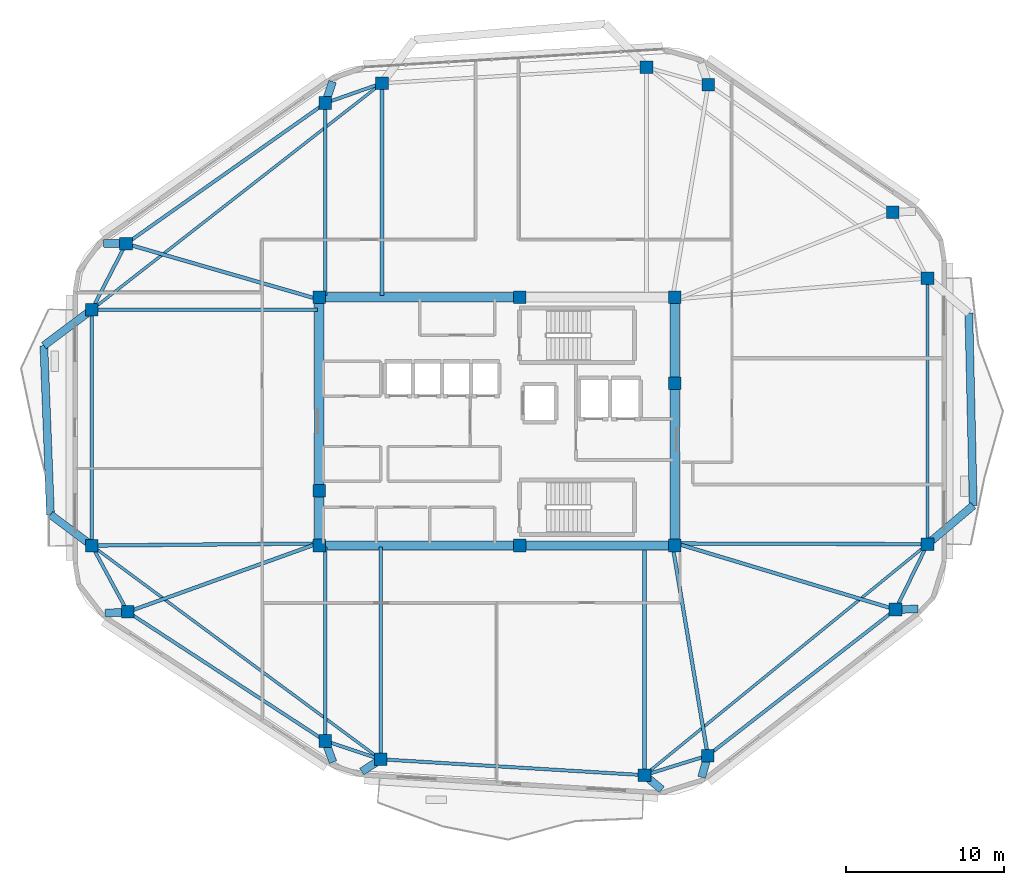
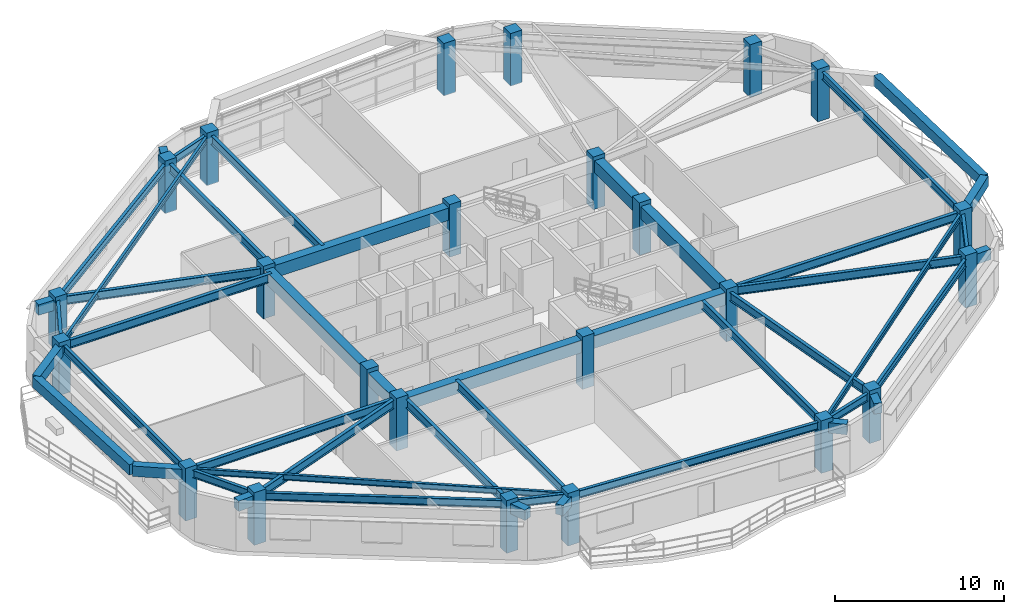
# One storey, part 1 of 12: 47 beams, 24 columns.
"""IFC4 building model written with IfcOpenShell, lengths in metres."""

from ifc_helpers import new_model, si_unit, direction, frame, origin, origin_2d, place, context, subcontext, project, spatial, rectangle, i_section, extrude, material, material_profile, profile_set, type_object, element, save


model = new_model("IFC4")

# Units and contexts
model_context = context("Model", 3, precision=1e-05, world=origin(), true_north=direction((0.0, 1.0)))
body_context = subcontext(model_context, "Body", "Model", "MODEL_VIEW")
ifc_project = project(units=[si_unit("LENGTHUNIT", "METRE"), si_unit("AREAUNIT", "SQUARE_METRE"), si_unit("VOLUMEUNIT", "CUBIC_METRE"), si_unit("PLANEANGLEUNIT", "RADIAN"), si_unit("MASSUNIT", "GRAM", prefix="KILO")], contexts=[model_context])

# Site, building, storey
site_placement = place(None, origin())
site = spatial("IfcSite", under=ifc_project, at=site_placement, CompositionType="ELEMENT")
building_placement = place(site_placement, origin())
building = spatial("IfcBuilding", under=site, at=building_placement, Name="Zulverin Broadcast Headquarters", CompositionType="ELEMENT")
storey_placement = place(building_placement, frame((0.0, 0.0, 263.0)))
storey = spatial("IfcBuildingStorey", under=building, at=storey_placement, Name="L67", CompositionType="ELEMENT", Elevation=263.0)

# Columns
ifc_material_1 = material(Name="Concrete C50/60", Category="concrete")
ifc_material_profile_1 = material_profile(ifc_material_1, rectangle(XDim=0.800048828125, YDim=0.800048828125, at=origin_2d()), Name="Concrete C50/60", Category="concrete")
ifc_profile_set_1 = profile_set([ifc_material_profile_1], Name="Concrete C50/60")
column_type_1 = type_object("IfcColumnType", Name="COL-RC-800", PredefinedType="COLUMN", material=ifc_profile_set_1)
for number, where, z_axis, x_axis, name in (
    (1, (29.6220703125, 3.763671875, 0.0), (0.0, 0.0, 1.0), (1.0, 0.0, 0.0), "L67 Perimeter Column T01"),
    (2, (46.3515625, 2.759521484375, 0.0), (0.0, 0.0, 1.0), (1.0, 0.0, 0.0), "L67 Perimeter Column T02"),
    (3, (50.361083984375, 4.001708984375, 0.0), (0.0, 0.0, 1.0), (1.0, 0.0, 0.0), "L67 Perimeter Column T03"),
    (4, (62.272216796875, 13.262451171875, 0.0), (0.0, 0.0, 1.0), (1.0, 0.0, 0.0), "L67 Perimeter Column T04"),
    (5, (64.300048828125, 17.40771484375, 0.0), (0.0, 0.0, 1.0), (1.0, 0.0, 0.0), "L67 Perimeter Column T05"),
    (6, (64.300048828125, 34.275634765625, 0.0), (0.0, 0.0, 1.0), (1.0, 0.0, 0.0), "L67 Perimeter Column T06"),
    (7, (62.102783203125, 38.465087890625, 0.0), (0.0, 0.0, 1.0), (1.0, 0.0, 0.0), "L67 Perimeter Column T07"),
    (8, (50.39794921875, 46.554443359375, 0.0), (0.0, 0.0, 1.0), (1.0, 0.0, 0.0), "L67 Perimeter Column T08"),
    (9, (46.4814453125, 47.6484375, 0.0), (0.0, 0.0, 1.0), (1.0, 0.0, 0.0), "L67 Perimeter Column T09"),
    (10, (29.70068359375, 46.64111328125, 0.0), (0.0, 0.0, 1.0), (1.0, 0.0, 0.0), "L67 Perimeter Column T10"),
    (11, (26.11474609375, 45.383544921875, 0.0), (0.0, 0.0, 1.0), (1.0, 0.0, 0.0), "L67 Perimeter Column T11"),
    (12, (13.46728515625, 36.457763671875, 0.0), (0.0, 0.0, 1.0), (1.0, 0.0, 0.0), "L67 Perimeter Column T12"),
    (13, (11.300048828125, 32.275390625, 0.0), (0.0, 0.0, 1.0), (1.0, 0.0, 0.0), "L67 Perimeter Column T13"),
    (14, (11.300048828125, 17.318603515625, 0.0), (0.0, 0.0, 1.0), (1.0, 0.0, 0.0), "L67 Perimeter Column T14"),
    (15, (13.576416015625, 13.11181640625, 0.0), (0.0, 0.0, 1.0), (1.0, 0.0, 0.0), "L67 Perimeter Column T15"),
    (16, (26.098876953125, 4.9287109375, 0.0), (0.0, 0.0, 1.0), (1.0, 0.0, 0.0), "L67 Perimeter Column T16"),
):
    element("IfcColumn", number, at=place(storey_placement, frame(where, z_axis=z_axis, x_axis=x_axis)), inside=storey, type_object=column_type_1, Name=name, PredefinedType="COLUMN", context=body_context, shape_type="SweptSolid", body=[
        extrude(rectangle(XDim=0.800048828125, YDim=0.800048828125, at=origin_2d()), origin(), (0.0, 0.0, 1.0), 3.800048828125),
    ])
ifc_material_profile_2 = material_profile(ifc_material_1, rectangle(XDim=0.800048828125, YDim=0.800048828125, at=origin_2d()), Name="Concrete C50/60", Category="concrete")
ifc_profile_set_2 = profile_set([ifc_material_profile_2], Name="Concrete C50/60")
column_type_2 = type_object("IfcColumnType", Name="PIL-RC-800", PredefinedType="PILASTER", material=ifc_profile_set_2)
for number, where, z_axis, x_axis, name in (
    (17, (25.72509765625, 17.324951171875, 0.0), (0.0, 0.0, 1.0), (1.0, 0.0, 0.0), "L67 Core Pilaster K01"),
    (18, (38.449951171875, 17.324951171875, 0.0), (0.0, 0.0, 1.0), (1.0, 0.0, 0.0), "L67 Core Pilaster K02"),
    (19, (48.27490234375, 17.324951171875, 0.0), (0.0, 0.0, 1.0), (1.0, 0.0, 0.0), "L67 Core Pilaster K03"),
    (20, (48.27490234375, 27.6201171875, 0.0), (0.0, 0.0, 1.0), (1.0, 0.0, 0.0), "L67 Core Pilaster K04"),
    (21, (48.27490234375, 33.074951171875, 0.0), (0.0, 0.0, 1.0), (1.0, 0.0, 0.0), "L67 Core Pilaster K05"),
    (22, (38.449951171875, 33.074951171875, 0.0), (0.0, 0.0, 1.0), (1.0, 0.0, 0.0), "L67 Core Pilaster K06"),
    (23, (25.72509765625, 33.074951171875, 0.0), (0.0, 0.0, 1.0), (1.0, 0.0, 0.0), "L67 Core Pilaster K07"),
    (24, (25.72509765625, 20.800048828125, 0.0), (0.0, 0.0, 1.0), (1.0, 0.0, 0.0), "L67 Core Pilaster K08"),
):
    element("IfcColumn", number, at=place(storey_placement, frame(where, z_axis=z_axis, x_axis=x_axis)), inside=storey, type_object=column_type_2, Name=name, PredefinedType="PILASTER", context=body_context, shape_type="SweptSolid", body=[
        extrude(rectangle(XDim=0.800048828125, YDim=0.800048828125, at=origin_2d()), origin(), (0.0, 0.0, 1.0), 3.800048828125),
    ])

# Beams
ifc_material_2 = material(Name="Concrete C60/75", Category="concrete")
ifc_material_profile_3 = material_profile(ifc_material_2, rectangle(XDim=0.60009765625, YDim=0.89990234375, at=origin_2d()), Name="Concrete C60/75", Category="concrete")
ifc_profile_set_3 = profile_set([ifc_material_profile_3], Name="Concrete C60/75")
beam_type_1 = type_object("IfcBeamType", Name="BM-CB-600x900", PredefinedType="LINTEL", material=ifc_profile_set_3)
beam_1_placement = place(storey_placement, frame((25.72509765625, 17.324951171875, 3.06005859375), z_axis=(1.0, 0.0, 0.0), x_axis=(0.0, 1.0, 0.0)))
element("IfcBeam", 25, at=beam_1_placement, inside=storey, type_object=beam_type_1, Name="L67 Core Coupling Girder K01-K02", PredefinedType="LINTEL", context=body_context, shape_type="SweptSolid", body=[
    extrude(rectangle(XDim=0.60009765625, YDim=0.89990234375, at=origin_2d()), origin(), (0.0, 0.0, 1.0), 12.724853515625),
])
beam_2_placement = place(storey_placement, frame((38.449951171875, 17.324951171875, 3.06005859375), z_axis=(1.0, 0.0, 0.0), x_axis=(0.0, 1.0, 0.0)))
element("IfcBeam", 26, at=beam_2_placement, inside=storey, type_object=beam_type_1, Name="L67 Core Coupling Girder K02-K03", PredefinedType="LINTEL", context=body_context, shape_type="SweptSolid", body=[
    extrude(rectangle(XDim=0.60009765625, YDim=0.89990234375, at=origin_2d()), origin(), (0.0, 0.0, 1.0), 9.824951171875),
])
beam_3_placement = place(storey_placement, frame((48.27490234375, 17.324951171875, 3.06005859375), z_axis=(0.0, 1.0, 0.0), x_axis=(-1.0, 0.0, 0.0)))
element("IfcBeam", 27, at=beam_3_placement, inside=storey, type_object=beam_type_1, Name="L67 Core Coupling Girder K03-K04", PredefinedType="LINTEL", context=body_context, shape_type="SweptSolid", body=[
    extrude(rectangle(XDim=0.60009765625, YDim=0.89990234375, at=origin_2d()), origin(), (0.0, 0.0, 1.0), 10.295166015625),
])
beam_4_placement = place(storey_placement, frame((48.27490234375, 27.6201171875, 3.06005859375), z_axis=(0.0, 1.0, 0.0), x_axis=(-1.0, 0.0, 0.0)))
element("IfcBeam", 28, at=beam_4_placement, inside=storey, type_object=beam_type_1, Name="L67 Core Coupling Girder K04-K05", PredefinedType="LINTEL", context=body_context, shape_type="SweptSolid", body=[
    extrude(rectangle(XDim=0.60009765625, YDim=0.89990234375, at=origin_2d()), origin(), (0.0, 0.0, 1.0), 5.454833984375),
])
beam_5_placement = place(storey_placement, frame((38.449951171875, 33.074951171875, 3.06005859375), z_axis=(-1.0, 0.0, 0.0), x_axis=(0.0, -1.0, 0.0)))
element("IfcBeam", 29, at=beam_5_placement, inside=storey, type_object=beam_type_1, Name="L67 Core Coupling Girder K06-K07", PredefinedType="LINTEL", context=body_context, shape_type="SweptSolid", body=[
    extrude(rectangle(XDim=0.60009765625, YDim=0.89990234375, at=origin_2d()), origin(), (0.0, 0.0, 1.0), 12.724853515625),
])
beam_6_placement = place(storey_placement, frame((25.72509765625, 33.074951171875, 3.06005859375), z_axis=(0.0, -1.0, 0.0), x_axis=(1.0, 0.0, 0.0)))
element("IfcBeam", 30, at=beam_6_placement, inside=storey, type_object=beam_type_1, Name="L67 Core Coupling Girder K07-K08", PredefinedType="LINTEL", context=body_context, shape_type="SweptSolid", body=[
    extrude(rectangle(XDim=0.60009765625, YDim=0.89990234375, at=origin_2d()), origin(), (0.0, 0.0, 1.0), 12.27490234375),
])
beam_7_placement = place(storey_placement, frame((25.72509765625, 20.800048828125, 3.06005859375), z_axis=(0.0, -1.0, 0.0), x_axis=(1.0, 0.0, 0.0)))
element("IfcBeam", 31, at=beam_7_placement, inside=storey, type_object=beam_type_1, Name="L67 Core Coupling Girder K08-K01", PredefinedType="LINTEL", context=body_context, shape_type="SweptSolid", body=[
    extrude(rectangle(XDim=0.60009765625, YDim=0.89990234375, at=origin_2d()), origin(), (0.0, 0.0, 1.0), 3.47509765625),
])
ifc_material_3 = material(Name="Concrete C40/50", Category="concrete")
ifc_material_profile_4 = material_profile(ifc_material_3, rectangle(XDim=0.5, YDim=0.75, at=origin_2d()), Name="Concrete C40/50", Category="concrete")
ifc_profile_set_4 = profile_set([ifc_material_profile_4], Name="Concrete C40/50")
beam_type_2 = type_object("IfcBeamType", Name="BM-RC-500x750", PredefinedType="BEAM", material=ifc_profile_set_4)
beam_8_placement = place(storey_placement, frame((29.6220703125, 3.763671875, 3.135009765625), z_axis=(-0.83837730459, -0.545090355031, 0.0), x_axis=(0.545090355031, -0.83837730459, 0.0)))
element("IfcBeam", 32, at=beam_8_placement, inside=storey, type_object=beam_type_2, Name="L68 Plate Overhang Back-Spanned Beam OVR-01", PredefinedType="BEAM", context=body_context, shape_type="SweptSolid", body=[
    extrude(rectangle(XDim=0.5, YDim=0.75, at=origin_2d()), origin(), (0.0, 0.0, 1.0), 1.43017578125),
])
for number, where, z_axis, x_axis, name in (
    (33, (46.3515625, 2.759521484375, 3.135009765625), (0.767058538949, -0.641577117598, 0.0), (0.641577117598, 0.767058538949, 0.0), "L68 Plate Overhang Back-Spanned Beam OVR-02"),
    (34, (50.361083984375, 4.001708984375, 3.135009765625), (-0.269914876125, -0.962884188076, 0.0), (0.962884188076, -0.269914876125, 0.0), "L68 Plate Overhang Back-Spanned Beam OVR-03"),
):
    element("IfcBeam", number, at=place(storey_placement, frame(where, z_axis=z_axis, x_axis=x_axis)), inside=storey, type_object=beam_type_2, Name=name, PredefinedType="BEAM", context=body_context, shape_type="SweptSolid", body=[
        extrude(rectangle(XDim=0.5, YDim=0.75, at=origin_2d()), origin(), (0.0, 0.0, 1.0), 1.429931640625),
    ])
for number, where, z_axis, x_axis, name in (
    (35, (62.272216796875, 13.262451171875, 3.135009765625), (0.999706131466, 0.024241507969, 0.0), (-0.024241507969, 0.999706131466, 0.0), "L68 Plate Overhang Back-Spanned Beam OVR-04"),
    (36, (26.11474609375, 45.383544921875, 3.135009765625), (0.314280982662, 0.94933000792, 0.0), (-0.94933000792, 0.314280982662, 0.0), "L68 Plate Overhang Back-Spanned Beam OVR-11"),
):
    element("IfcBeam", number, at=place(storey_placement, frame(where, z_axis=z_axis, x_axis=x_axis)), inside=storey, type_object=beam_type_2, Name=name, PredefinedType="BEAM", context=body_context, shape_type="SweptSolid", body=[
        extrude(rectangle(XDim=0.5, YDim=0.75, at=origin_2d()), origin(), (0.0, 0.0, 1.0), 1.43017578125),
    ])
beam_9_placement = place(storey_placement, frame((13.46728515625, 36.457763671875, 3.135009765625), z_axis=(-0.999761201155, 0.02185270385, 0.0), x_axis=(-0.02185270385, -0.999761201155, 0.0)))
element("IfcBeam", 37, at=beam_9_placement, inside=storey, type_object=beam_type_2, Name="L68 Plate Overhang Back-Spanned Beam OVR-12", PredefinedType="BEAM", context=body_context, shape_type="SweptSolid", body=[
    extrude(rectangle(XDim=0.5, YDim=0.75, at=origin_2d()), origin(), (0.0, 0.0, 1.0), 1.429931640625),
])
beam_10_placement = place(storey_placement, frame((13.576416015625, 13.11181640625, 3.135009765625), z_axis=(-0.998333895448, -0.057701240879, 0.0), x_axis=(0.057701240879, -0.998333895448, 0.0)))
element("IfcBeam", 38, at=beam_10_placement, inside=storey, type_object=beam_type_2, Name="L68 Plate Overhang Back-Spanned Beam OVR-15", PredefinedType="BEAM", context=body_context, shape_type="SweptSolid", body=[
    extrude(rectangle(XDim=0.5, YDim=0.75, at=origin_2d()), origin(), (0.0, 0.0, 1.0), 1.43017578125),
])
beam_11_placement = place(storey_placement, frame((26.098876953125, 4.9287109375, 3.135009765625), z_axis=(0.348109371259, -0.93745392721, 0.0), x_axis=(0.93745392721, 0.348109371259, 0.0)))
element("IfcBeam", 39, at=beam_11_placement, inside=storey, type_object=beam_type_2, Name="L68 Plate Overhang Back-Spanned Beam OVR-16", PredefinedType="BEAM", context=body_context, shape_type="SweptSolid", body=[
    extrude(rectangle(XDim=0.5, YDim=0.75, at=origin_2d()), origin(), (0.0, 0.0, 1.0), 1.429931640625),
])
beam_12_placement = place(storey_placement, frame((64.300048828125, 17.40771484375, 3.135009765625), z_axis=(0.763327794612, 0.646011360561, 0.0), x_axis=(-0.646011360561, 0.763327794612, 0.0)))
element("IfcBeam", 40, at=beam_12_placement, inside=storey, type_object=beam_type_2, Name="L68 Balcony Column-Framed Cantilever BAL_E-1", PredefinedType="BEAM", context=body_context, shape_type="SweptSolid", body=[
    extrude(rectangle(XDim=0.5, YDim=0.75, at=origin_2d()), origin(), (0.0, 0.0, 1.0), 3.800048828125),
])
beam_13_placement = place(storey_placement, frame((67.20068359375, 19.862548828125, 3.135009765625), z_axis=(-0.023014621115, 0.999735128529, 0.0), x_axis=(-0.999735128529, -0.023014621115, 0.0)))
element("IfcBeam", 41, at=beam_13_placement, inside=storey, type_object=beam_type_2, Name="L68 Balcony Outer Edge Trimmer Beam BAL_E", PredefinedType="BEAM", context=body_context, shape_type="SweptSolid", body=[
    extrude(rectangle(XDim=0.5, YDim=0.75, at=origin_2d()), origin(), (0.0, 0.0, 1.0), 12.19921875),
])
beam_14_placement = place(storey_placement, frame((11.300048828125, 32.275390625, 3.135009765625), z_axis=(-0.80024663654, -0.599671010394, 0.0), x_axis=(0.599671010394, -0.80024663654, 0.0)))
element("IfcBeam", 42, at=beam_14_placement, inside=storey, type_object=beam_type_2, Name="L68 Balcony Column-Framed Cantilever BAL_W-1", PredefinedType="BEAM", context=body_context, shape_type="SweptSolid", body=[
    extrude(rectangle(XDim=0.5, YDim=0.75, at=origin_2d()), origin(), (0.0, 0.0, 1.0), 3.800048828125),
])
beam_15_placement = place(storey_placement, frame((11.300048828125, 17.318603515625, 3.135009765625), z_axis=(-0.800250474568, 0.599665888602, 0.0), x_axis=(-0.599665888602, -0.800250474568, 0.0)))
element("IfcBeam", 43, at=beam_15_placement, inside=storey, type_object=beam_type_2, Name="L68 Balcony Column-Framed Cantilever BAL_W-2", PredefinedType="BEAM", context=body_context, shape_type="SweptSolid", body=[
    extrude(rectangle(XDim=0.5, YDim=0.75, at=origin_2d()), origin(), (0.0, 0.0, 1.0), 3.274169921875),
])
beam_16_placement = place(storey_placement, frame((8.259033203125, 29.99658203125, 3.135009765625), z_axis=(0.039252429165, -0.999229326433, 0.0), x_axis=(0.999229326433, 0.039252429165, 0.0)))
element("IfcBeam", 44, at=beam_16_placement, inside=storey, type_object=beam_type_2, Name="L68 Balcony Outer Edge Trimmer Beam BAL_W", PredefinedType="BEAM", context=body_context, shape_type="SweptSolid", body=[
    extrude(rectangle(XDim=0.5, YDim=0.75, at=origin_2d()), origin(), (0.0, 0.0, 1.0), 10.722900390625),
])
ifc_material_4 = material(Name="Structural steel S355JR", Category="steel")
ifc_material_profile_5 = material_profile(ifc_material_4, i_section(OverallWidth=0.179443359375, OverallDepth=0.412841796875, WebThickness=0.009521484375, FlangeThickness=0.01611328125, at=origin_2d()), Name="Structural steel S355JR", Category="steel")
ifc_profile_set_5 = profile_set([ifc_material_profile_5], Name="Structural steel S355JR")
beam_type_3 = type_object("IfcBeamType", Name="BM-UB-406", PredefinedType="JOIST", material=ifc_profile_set_5)
beam_17_placement = place(storey_placement, frame((46.3515625, 2.759521484375, 3.3037109375), z_axis=(0.77473799882, 0.632282399869, 0.0), x_axis=(-0.632282399869, 0.77473799882, 0.0)))
element("IfcBeam", 45, at=beam_17_placement, inside=storey, type_object=beam_type_3, Name="L67 Chordal Floor Joist J-01", PredefinedType="JOIST", context=body_context, shape_type="SweptSolid", body=[
    extrude(i_section(OverallWidth=0.179443359375, OverallDepth=0.412841796875, WebThickness=0.009521484375, FlangeThickness=0.01611328125, at=origin_2d()), origin(), (0.0, 0.0, 1.0), 23.167236328125),
])
beam_18_placement = place(storey_placement, frame((29.70068359375, 46.64111328125, 3.3037109375), z_axis=(-0.788227438956, -0.615384030079, 0.0), x_axis=(0.615384030079, -0.788227438956, 0.0)))
element("IfcBeam", 46, at=beam_18_placement, inside=storey, type_object=beam_type_3, Name="L67 Chordal Floor Joist J-03", PredefinedType="JOIST", context=body_context, shape_type="SweptSolid", body=[
    extrude(i_section(OverallWidth=0.179443359375, OverallDepth=0.412841796875, WebThickness=0.009521484375, FlangeThickness=0.01611328125, at=origin_2d()), origin(), (0.0, 0.0, 1.0), 23.34423828125),
])
beam_19_placement = place(storey_placement, frame((11.300048828125, 17.318603515625, 3.3037109375), z_axis=(0.803912476144, -0.594747619332, 0.0), x_axis=(0.594747619332, 0.803912476144, 0.0)))
element("IfcBeam", 47, at=beam_19_placement, inside=storey, type_object=beam_type_3, Name="L67 Chordal Floor Joist J-04", PredefinedType="JOIST", context=body_context, shape_type="SweptSolid", body=[
    extrude(i_section(OverallWidth=0.179443359375, OverallDepth=0.412841796875, WebThickness=0.009521484375, FlangeThickness=0.01611328125, at=origin_2d()), origin(), (0.0, 0.0, 1.0), 22.791015625),
])
ifc_material_profile_6 = material_profile(ifc_material_4, i_section(OverallWidth=0.2119140625, OverallDepth=0.54443359375, WebThickness=0.0126953125, FlangeThickness=0.021240234375, at=origin_2d()), Name="Structural steel S355JR", Category="steel")
ifc_profile_set_6 = profile_set([ifc_material_profile_6], Name="Structural steel S355JR")
beam_type_4 = type_object("IfcBeamType", Name="BM-UB-533", PredefinedType="SPANDREL", material=ifc_profile_set_6)
beam_20_placement = place(storey_placement, frame((29.6220703125, 3.763671875, 3.23779296875), z_axis=(0.998203486609, -0.059914934044, 0.0), x_axis=(0.059914934044, 0.998203486609, 0.0)))
element("IfcBeam", 48, at=beam_20_placement, inside=storey, type_object=beam_type_4, Name="L67 Perimeter Spandrel Beam SP-01", PredefinedType="SPANDREL", context=body_context, shape_type="SweptSolid", body=[
    extrude(i_section(OverallWidth=0.2119140625, OverallDepth=0.54443359375, WebThickness=0.0126953125, FlangeThickness=0.021240234375, at=origin_2d()), origin(), (0.0, 0.0, 1.0), 16.759521484375),
])
beam_21_placement = place(storey_placement, frame((46.3515625, 2.759521484375, 3.23779296875), z_axis=(0.955208799219, 0.295932677978, 0.0), x_axis=(-0.295932677978, 0.955208799219, 0.0)))
element("IfcBeam", 49, at=beam_21_placement, inside=storey, type_object=beam_type_4, Name="L67 Perimeter Spandrel Beam SP-02", PredefinedType="SPANDREL", context=body_context, shape_type="SweptSolid", body=[
    extrude(i_section(OverallWidth=0.2119140625, OverallDepth=0.54443359375, WebThickness=0.0126953125, FlangeThickness=0.021240234375, at=origin_2d()), origin(), (0.0, 0.0, 1.0), 4.197509765625),
])
beam_22_placement = place(storey_placement, frame((50.361083984375, 4.001708984375, 3.23779296875), z_axis=(0.789463732329, 0.613797210271, 0.0), x_axis=(-0.613797210271, 0.789463732329, 0.0)))
element("IfcBeam", 50, at=beam_22_placement, inside=storey, type_object=beam_type_4, Name="L67 Perimeter Spandrel Beam SP-03", PredefinedType="SPANDREL", context=body_context, shape_type="SweptSolid", body=[
    extrude(i_section(OverallWidth=0.2119140625, OverallDepth=0.54443359375, WebThickness=0.0126953125, FlangeThickness=0.021240234375, at=origin_2d()), origin(), (0.0, 0.0, 1.0), 15.087646484375),
])
beam_23_placement = place(storey_placement, frame((62.272216796875, 13.262451171875, 3.23779296875), z_axis=(0.439430258265, 0.898276710219, 0.0), x_axis=(-0.898276710219, 0.439430258265, 0.0)))
element("IfcBeam", 51, at=beam_23_placement, inside=storey, type_object=beam_type_4, Name="L67 Perimeter Spandrel Beam SP-04", PredefinedType="SPANDREL", context=body_context, shape_type="SweptSolid", body=[
    extrude(i_section(OverallWidth=0.2119140625, OverallDepth=0.54443359375, WebThickness=0.0126953125, FlangeThickness=0.021240234375, at=origin_2d()), origin(), (0.0, 0.0, 1.0), 4.61474609375),
])
beam_24_placement = place(storey_placement, frame((64.300048828125, 17.40771484375, 3.23779296875), z_axis=(0.0, 1.0, 0.0), x_axis=(-1.0, 0.0, 0.0)))
element("IfcBeam", 52, at=beam_24_placement, inside=storey, type_object=beam_type_4, Name="L67 Perimeter Spandrel Beam SP-05", PredefinedType="SPANDREL", context=body_context, shape_type="SweptSolid", body=[
    extrude(i_section(OverallWidth=0.2119140625, OverallDepth=0.54443359375, WebThickness=0.0126953125, FlangeThickness=0.021240234375, at=origin_2d()), origin(), (0.0, 0.0, 1.0), 16.867919921875),
])
beam_25_placement = place(storey_placement, frame((29.70068359375, 46.64111328125, 3.23779296875), z_axis=(-0.943653845921, -0.330934161243, 0.0), x_axis=(0.330934161243, -0.943653845921, 0.0)))
element("IfcBeam", 53, at=beam_25_placement, inside=storey, type_object=beam_type_4, Name="L67 Perimeter Spandrel Beam SP-10", PredefinedType="SPANDREL", context=body_context, shape_type="SweptSolid", body=[
    extrude(i_section(OverallWidth=0.2119140625, OverallDepth=0.54443359375, WebThickness=0.0126953125, FlangeThickness=0.021240234375, at=origin_2d()), origin(), (0.0, 0.0, 1.0), 3.800048828125),
])
beam_26_placement = place(storey_placement, frame((26.11474609375, 45.383544921875, 3.23779296875), z_axis=(-0.817023806154, -0.576603937012, 0.0), x_axis=(0.576603937012, -0.817023806154, 0.0)))
element("IfcBeam", 54, at=beam_26_placement, inside=storey, type_object=beam_type_4, Name="L67 Perimeter Spandrel Beam SP-11", PredefinedType="SPANDREL", context=body_context, shape_type="SweptSolid", body=[
    extrude(i_section(OverallWidth=0.2119140625, OverallDepth=0.54443359375, WebThickness=0.0126953125, FlangeThickness=0.021240234375, at=origin_2d()), origin(), (0.0, 0.0, 1.0), 15.47998046875),
])
beam_27_placement = place(storey_placement, frame((13.46728515625, 36.457763671875, 3.23779296875), z_axis=(-0.460082658911, -0.887876087621, 0.0), x_axis=(0.887876087621, -0.460082658911, 0.0)))
element("IfcBeam", 55, at=beam_27_placement, inside=storey, type_object=beam_type_4, Name="L67 Perimeter Spandrel Beam SP-12", PredefinedType="SPANDREL", context=body_context, shape_type="SweptSolid", body=[
    extrude(i_section(OverallWidth=0.2119140625, OverallDepth=0.54443359375, WebThickness=0.0126953125, FlangeThickness=0.021240234375, at=origin_2d()), origin(), (0.0, 0.0, 1.0), 4.71044921875),
])
beam_28_placement = place(storey_placement, frame((11.300048828125, 32.275390625, 3.23779296875), z_axis=(0.0, -1.0, 0.0), x_axis=(1.0, 0.0, 0.0)))
element("IfcBeam", 56, at=beam_28_placement, inside=storey, type_object=beam_type_4, Name="L67 Perimeter Spandrel Beam SP-13", PredefinedType="SPANDREL", context=body_context, shape_type="SweptSolid", body=[
    extrude(i_section(OverallWidth=0.2119140625, OverallDepth=0.54443359375, WebThickness=0.0126953125, FlangeThickness=0.021240234375, at=origin_2d()), origin(), (0.0, 0.0, 1.0), 14.956787109375),
])
beam_29_placement = place(storey_placement, frame((11.300048828125, 17.318603515625, 3.23779296875), z_axis=(0.475909852672, -0.879494066, 0.0), x_axis=(0.879494066, 0.475909852672, 0.0)))
element("IfcBeam", 57, at=beam_29_placement, inside=storey, type_object=beam_type_4, Name="L67 Perimeter Spandrel Beam SP-14", PredefinedType="SPANDREL", context=body_context, shape_type="SweptSolid", body=[
    extrude(i_section(OverallWidth=0.2119140625, OverallDepth=0.54443359375, WebThickness=0.0126953125, FlangeThickness=0.021240234375, at=origin_2d()), origin(), (0.0, 0.0, 1.0), 4.783203125),
])
beam_30_placement = place(storey_placement, frame((13.576416015625, 13.11181640625, 3.23779296875), z_axis=(0.837112191398, -0.547031241349, 0.0), x_axis=(0.547031241349, 0.837112191398, 0.0)))
element("IfcBeam", 58, at=beam_30_placement, inside=storey, type_object=beam_type_4, Name="L67 Perimeter Spandrel Beam SP-15", PredefinedType="SPANDREL", context=body_context, shape_type="SweptSolid", body=[
    extrude(i_section(OverallWidth=0.2119140625, OverallDepth=0.54443359375, WebThickness=0.0126953125, FlangeThickness=0.021240234375, at=origin_2d()), origin(), (0.0, 0.0, 1.0), 14.959228515625),
])
beam_31_placement = place(storey_placement, frame((26.098876953125, 4.9287109375, 3.23779296875), z_axis=(0.949437184981, -0.313957054031, 0.0), x_axis=(0.313957054031, 0.949437184981, 0.0)))
element("IfcBeam", 59, at=beam_31_placement, inside=storey, type_object=beam_type_4, Name="L67 Perimeter Spandrel Beam SP-16", PredefinedType="SPANDREL", context=body_context, shape_type="SweptSolid", body=[
    extrude(i_section(OverallWidth=0.2119140625, OverallDepth=0.54443359375, WebThickness=0.0126953125, FlangeThickness=0.021240234375, at=origin_2d()), origin(), (0.0, 0.0, 1.0), 3.7109375),
])
ifc_material_profile_7 = material_profile(ifc_material_4, i_section(OverallWidth=0.230224609375, OverallDepth=0.6171875, WebThickness=0.01318359375, FlangeThickness=0.022216796875, at=origin_2d()), Name="Structural steel S355JR", Category="steel")
ifc_profile_set_7 = profile_set([ifc_material_profile_7], Name="Structural steel S355JR")
beam_type_5 = type_object("IfcBeamType", Name="BM-UB-610", PredefinedType="BEAM", material=ifc_profile_set_7)
beam_32_placement = place(storey_placement, frame((29.6220703125, 17.22509765625, 3.201416015625), z_axis=(0.0, -1.0, 0.0), x_axis=(1.0, 0.0, 0.0)))
element("IfcBeam", 60, at=beam_32_placement, inside=storey, type_object=beam_type_5, Name="L67 Radial Primary Floor Beam RB-01", PredefinedType="BEAM", context=body_context, shape_type="SweptSolid", body=[
    extrude(i_section(OverallWidth=0.230224609375, OverallDepth=0.6171875, WebThickness=0.01318359375, FlangeThickness=0.022216796875, at=origin_2d()), origin(), (0.0, 0.0, 1.0), 13.46142578125),
])
beam_33_placement = place(storey_placement, frame((46.3515625, 17.22509765625, 3.201416015625), z_axis=(0.0, -1.0, 0.0), x_axis=(1.0, 0.0, 0.0)))
element("IfcBeam", 61, at=beam_33_placement, inside=storey, type_object=beam_type_5, Name="L67 Radial Primary Floor Beam RB-02", PredefinedType="BEAM", context=body_context, shape_type="SweptSolid", body=[
    extrude(i_section(OverallWidth=0.230224609375, OverallDepth=0.6171875, WebThickness=0.01318359375, FlangeThickness=0.022216796875, at=origin_2d()), origin(), (0.0, 0.0, 1.0), 14.465576171875),
])
beam_34_placement = place(storey_placement, frame((48.14990234375, 17.22509765625, 3.201416015625), z_axis=(0.1649275445, -0.986305685407, 0.0), x_axis=(0.986305685407, 0.1649275445, 0.0)))
element("IfcBeam", 62, at=beam_34_placement, inside=storey, type_object=beam_type_5, Name="L67 Radial Primary Floor Beam RB-03", PredefinedType="BEAM", context=body_context, shape_type="SweptSolid", body=[
    extrude(i_section(OverallWidth=0.230224609375, OverallDepth=0.6171875, WebThickness=0.01318359375, FlangeThickness=0.022216796875, at=origin_2d()), origin(), (0.0, 0.0, 1.0), 13.406982421875),
])
beam_35_placement = place(storey_placement, frame((48.375, 17.449951171875, 3.201416015625), z_axis=(0.957477907331, -0.288506597799, 0.0), x_axis=(0.288506597799, 0.957477907331, 0.0)))
element("IfcBeam", 63, at=beam_35_placement, inside=storey, type_object=beam_type_5, Name="L67 Radial Primary Floor Beam RB-04", PredefinedType="BEAM", context=body_context, shape_type="SweptSolid", body=[
    extrude(i_section(OverallWidth=0.230224609375, OverallDepth=0.6171875, WebThickness=0.01318359375, FlangeThickness=0.022216796875, at=origin_2d()), origin(), (0.0, 0.0, 1.0), 14.514404296875),
])
beam_36_placement = place(storey_placement, frame((48.375, 17.449951171875, 3.201416015625), z_axis=(0.999996482951, -0.002652185248, 0.0), x_axis=(0.002652185248, 0.999996482951, 0.0)))
element("IfcBeam", 64, at=beam_36_placement, inside=storey, type_object=beam_type_5, Name="L67 Radial Primary Floor Beam RB-05", PredefinedType="BEAM", context=body_context, shape_type="SweptSolid", body=[
    extrude(i_section(OverallWidth=0.230224609375, OverallDepth=0.6171875, WebThickness=0.01318359375, FlangeThickness=0.022216796875, at=origin_2d()), origin(), (0.0, 0.0, 1.0), 15.925048828125),
])
beam_37_placement = place(storey_placement, frame((29.70068359375, 33.175048828125, 3.201416015625), z_axis=(0.0, 1.0, 0.0), x_axis=(-1.0, 0.0, 0.0)))
element("IfcBeam", 65, at=beam_37_placement, inside=storey, type_object=beam_type_5, Name="L67 Radial Primary Floor Beam RB-10", PredefinedType="BEAM", context=body_context, shape_type="SweptSolid", body=[
    extrude(i_section(OverallWidth=0.230224609375, OverallDepth=0.6171875, WebThickness=0.01318359375, FlangeThickness=0.022216796875, at=origin_2d()), origin(), (0.0, 0.0, 1.0), 13.466064453125),
])
beam_38_placement = place(storey_placement, frame((26.11474609375, 33.175048828125, 3.201416015625), z_axis=(0.0, 1.0, 0.0), x_axis=(-1.0, 0.0, 0.0)))
element("IfcBeam", 66, at=beam_38_placement, inside=storey, type_object=beam_type_5, Name="L67 Radial Primary Floor Beam RB-11", PredefinedType="BEAM", context=body_context, shape_type="SweptSolid", body=[
    extrude(i_section(OverallWidth=0.230224609375, OverallDepth=0.6171875, WebThickness=0.01318359375, FlangeThickness=0.022216796875, at=origin_2d()), origin(), (0.0, 0.0, 1.0), 12.20849609375),
])
beam_39_placement = place(storey_placement, frame((25.625, 32.949951171875, 3.201416015625), z_axis=(-0.960807187215, 0.277217512067, 0.0), x_axis=(-0.277217512067, -0.960807187215, 0.0)))
element("IfcBeam", 67, at=beam_39_placement, inside=storey, type_object=beam_type_5, Name="L67 Radial Primary Floor Beam RB-12", PredefinedType="BEAM", context=body_context, shape_type="SweptSolid", body=[
    extrude(i_section(OverallWidth=0.230224609375, OverallDepth=0.6171875, WebThickness=0.01318359375, FlangeThickness=0.022216796875, at=origin_2d()), origin(), (0.0, 0.0, 1.0), 12.653564453125),
])
beam_40_placement = place(storey_placement, frame((25.625, 32.275390625, 3.201416015625), z_axis=(-1.0, 0.0, 0.0), x_axis=(0.0, -1.0, 0.0)))
element("IfcBeam", 68, at=beam_40_placement, inside=storey, type_object=beam_type_5, Name="L67 Radial Primary Floor Beam RB-13", PredefinedType="BEAM", context=body_context, shape_type="SweptSolid", body=[
    extrude(i_section(OverallWidth=0.230224609375, OverallDepth=0.6171875, WebThickness=0.01318359375, FlangeThickness=0.022216796875, at=origin_2d()), origin(), (0.0, 0.0, 1.0), 14.324951171875),
])
beam_41_placement = place(storey_placement, frame((25.625, 17.449951171875, 3.201416015625), z_axis=(-0.999957965975, -0.009168766693, 0.0), x_axis=(0.009168766693, -0.999957965975, 0.0)))
element("IfcBeam", 69, at=beam_41_placement, inside=storey, type_object=beam_type_5, Name="L67 Radial Primary Floor Beam RB-14", PredefinedType="BEAM", context=body_context, shape_type="SweptSolid", body=[
    extrude(i_section(OverallWidth=0.230224609375, OverallDepth=0.6171875, WebThickness=0.01318359375, FlangeThickness=0.022216796875, at=origin_2d()), origin(), (0.0, 0.0, 1.0), 14.325439453125),
])
beam_42_placement = place(storey_placement, frame((25.625, 17.449951171875, 3.201416015625), z_axis=(-0.940871370382, -0.338764024646, 0.0), x_axis=(0.338764024646, -0.940871370382, 0.0)))
element("IfcBeam", 70, at=beam_42_placement, inside=storey, type_object=beam_type_5, Name="L67 Radial Primary Floor Beam RB-15", PredefinedType="BEAM", context=body_context, shape_type="SweptSolid", body=[
    extrude(i_section(OverallWidth=0.230224609375, OverallDepth=0.6171875, WebThickness=0.01318359375, FlangeThickness=0.022216796875, at=origin_2d()), origin(), (0.0, 0.0, 1.0), 12.8056640625),
])
beam_43_placement = place(storey_placement, frame((26.098876953125, 17.22509765625, 3.201416015625), z_axis=(0.0, -1.0, 0.0), x_axis=(1.0, 0.0, 0.0)))
element("IfcBeam", 71, at=beam_43_placement, inside=storey, type_object=beam_type_5, Name="L67 Radial Primary Floor Beam RB-16", PredefinedType="BEAM", context=body_context, shape_type="SweptSolid", body=[
    extrude(i_section(OverallWidth=0.230224609375, OverallDepth=0.6171875, WebThickness=0.01318359375, FlangeThickness=0.022216796875, at=origin_2d()), origin(), (0.0, 0.0, 1.0), 12.29638671875),
])

save(model, "model.ifc")
